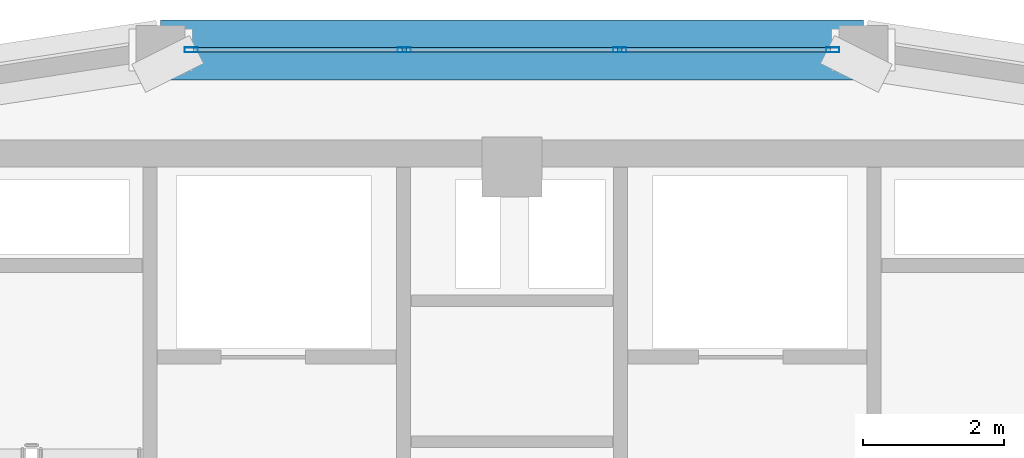
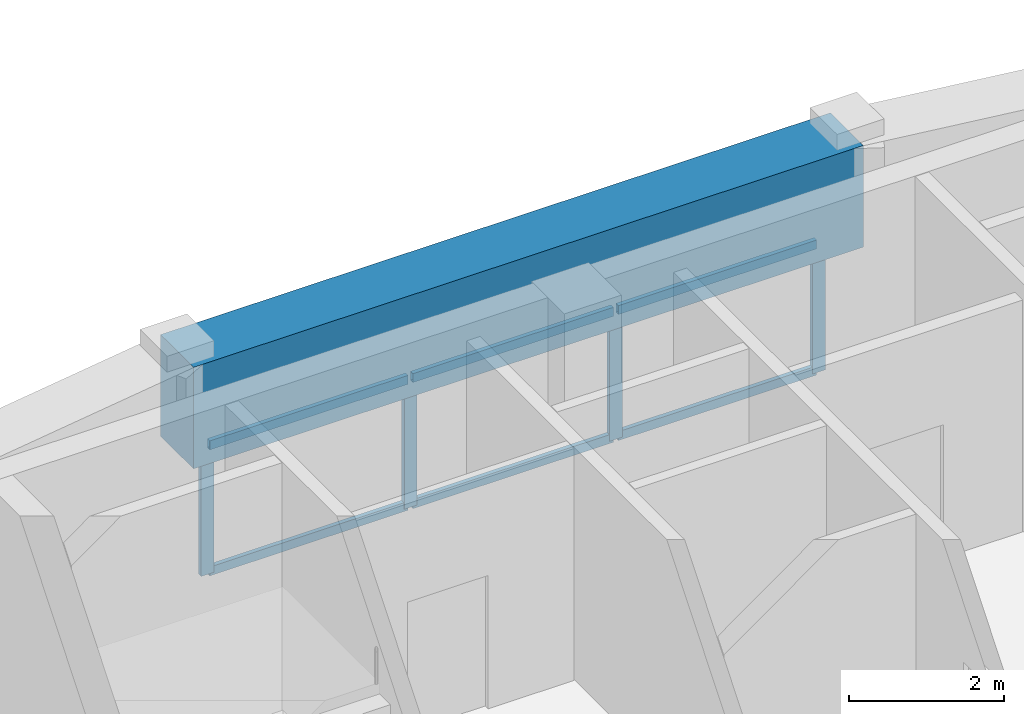
# One storey, part 9 of 13: 10 members, 1 beam, 1 element without a shape of its own.
"""IFC4 building model written with IfcOpenShell, lengths in metres."""

from ifc_helpers import new_model, si_unit, derived_unit, direction, frame, origin, origin_2d, place, context, subcontext, project, spatial, rectangle, hollow_rectangle, extrude, source, transform, mapped, material, layer, layer_set, material_profile, profile_set, type_object, element, aggregate, save


model = new_model("IFC4")

# Units and contexts
model_context = context("Model", 3, precision=1e-05, world=origin(), true_north=direction((0.0, 1.0)))
body_context = subcontext(model_context, "Body", "Model", "MODEL_VIEW")
ifc_project = project(units=[si_unit("LENGTHUNIT", "METRE"), si_unit("AREAUNIT", "SQUARE_METRE"), si_unit("VOLUMEUNIT", "CUBIC_METRE"), si_unit("PLANEANGLEUNIT", "RADIAN"), si_unit("MASSUNIT", "GRAM", prefix="KILO"), derived_unit("THERMALTRANSMITTANCEUNIT", [(si_unit("POWERUNIT", "WATT"), 1), (si_unit("LENGTHUNIT", "METRE"), -2), (si_unit("THERMODYNAMICTEMPERATUREUNIT", "KELVIN"), -1)])], contexts=[model_context])

# Site, building, storey
site_placement = place(None, origin())
site = spatial("IfcSite", under=ifc_project, at=site_placement, CompositionType="ELEMENT")
building_placement = place(site_placement, origin())
building = spatial("IfcBuilding", under=site, at=building_placement, Name="Korsvarv Bourse and Concert Hall", CompositionType="ELEMENT")
storey_placement = place(building_placement, frame((0.0, 0.0, 292.199951171875)))
storey = spatial("IfcBuildingStorey", under=building, at=storey_placement, Name="L76", CompositionType="ELEMENT", Elevation=292.199951171875)

# Beam
ifc_material_1 = material(Name="Concrete C55/67", Category="concrete")
ifc_material_profile_1 = material_profile(ifc_material_1, rectangle(XDim=0.85009765625, YDim=1.60009765625, at=origin_2d()), Name="RC-BM 850x1600")
ifc_profile_set_1 = profile_set([ifc_material_profile_1], Name="Concrete C55/67")
beam_type = type_object("IfcBeamType", Name="BM-TR1B", PredefinedType="BEAM", material=ifc_profile_set_1)
shared_shape_1 = source(origin(), body_context, "Body", "SweptSolid", [
    extrude(rectangle(XDim=0.85009765625, YDim=1.60009765625, at=origin_2d()), origin(), (0.0, 0.0, 1.0), 9.97802734375),
])
beam_placement = place(storey_placement, frame((40.989013671875, 48.4619140625, 2.85009765625), z_axis=(-1.0, 0.0, 0.0), x_axis=(0.0, -1.0, 0.0)))
element("IfcBeam", 1, at=beam_placement, inside=storey, type_object=beam_type, Name="L76 beam B-TR2", PredefinedType="BEAM", context=body_context, shape_type="MappedRepresentation", body=[
    mapped(shared_shape_1, transform((0.0, 0.0, 0.0), scale=1.0)),
])

# Curtain wall, members
ifc_material_2 = material(Name="Anodised aluminium and triple low-E glazing", Category="glass")
ifc_layer = layer(ifc_material_2, 0.22998046875)
ifc_layer_set = layer_set([ifc_layer], Name="Anodised aluminium and triple low-E glazing")
curtain_wall_type = type_object("IfcCurtainWallType", Name="CW-SYS-6", PredefinedType="NOTDEFINED", material=ifc_layer_set)
curtain_wall_placement = place(storey_placement, origin())
curtain_wall = element("IfcCurtainWall", 2, at=curtain_wall_placement, inside=storey, type_object=curtain_wall_type, Name="L76 CW6 curtain wall CW-L76-CRN03", PredefinedType="NOTDEFINED")
ifc_material_3 = material(Name="Extruded aluminium EN AW-6063 T66", Category="aluminium")
ifc_material_profile_2 = material_profile(ifc_material_3, hollow_rectangle(XDim=0.070068359375, YDim=0.18994140625, WallThickness=0.0048828125, at=origin_2d()), Name="ALU-M 70x190")
ifc_profile_set_2 = profile_set([ifc_material_profile_2], Name="Extruded aluminium EN AW-6063 T66")
member_type_1 = type_object("IfcMemberType", Name="CWM-190", PredefinedType="MULLION", material=ifc_profile_set_2)
shared_shape_2 = source(origin(), body_context, "Body", "SweptSolid", [
    extrude(hollow_rectangle(XDim=0.070068359375, YDim=0.18994140625, WallThickness=0.0048828125, at=origin_2d()), origin(), (0.0, 0.0, 1.0), 2.050048828125),
])
member_1_placement = place(storey_placement, frame((40.553955078125, 48.4619140625, 0.0), z_axis=(0.0, 0.0, 1.0), x_axis=(0.0, -1.0, 0.0)))
member_1 = element("IfcMember", 3, at=member_1_placement, type_object=member_type_1, Name="CW6 mullion 1", PredefinedType="MULLION", context=body_context, shape_type="MappedRepresentation", body=[
    mapped(shared_shape_2, transform((0.0, 0.0, 0.0), scale=1.0)),
])
member_2_placement = place(storey_placement, frame((37.52978515625, 48.4619140625, 0.0), z_axis=(0.0, 0.0, 1.0), x_axis=(0.0, -1.0, 0.0)))
member_2 = element("IfcMember", 4, at=member_2_placement, type_object=member_type_1, Name="CW6 mullion 2", PredefinedType="MULLION", context=body_context, shape_type="MappedRepresentation", body=[
    mapped(shared_shape_2, transform((0.0, 0.0, 0.0), scale=1.0)),
])
member_3_placement = place(storey_placement, frame((34.47021484375, 48.4619140625, 0.0), z_axis=(0.0, 0.0, 1.0), x_axis=(0.0, -1.0, 0.0)))
member_3 = element("IfcMember", 5, at=member_3_placement, type_object=member_type_1, Name="CW6 mullion 3", PredefinedType="MULLION", context=body_context, shape_type="MappedRepresentation", body=[
    mapped(shared_shape_2, transform((0.0, 0.0, 0.0), scale=1.0)),
])
member_4_placement = place(storey_placement, frame((31.446044921875, 48.4619140625, 0.0), z_axis=(0.0, 0.0, 1.0), x_axis=(0.0, -1.0, 0.0)))
member_4 = element("IfcMember", 6, at=member_4_placement, type_object=member_type_1, Name="CW6 mullion 4", PredefinedType="MULLION", context=body_context, shape_type="MappedRepresentation", body=[
    mapped(shared_shape_2, transform((0.0, 0.0, 0.0), scale=1.0)),
])
ifc_material_profile_3 = material_profile(ifc_material_3, hollow_rectangle(XDim=0.06494140625, YDim=0.139892578125, WallThickness=0.00390625, at=origin_2d()), Name="ALU-T 65x140")
ifc_profile_set_3 = profile_set([ifc_material_profile_3], Name="Extruded aluminium EN AW-6063 T66")
member_type_2 = type_object("IfcMemberType", Name="CWT-140", PredefinedType="USERDEFINED", material=ifc_profile_set_3)
shared_shape_3 = source(origin(), body_context, "Body", "SweptSolid", [
    extrude(hollow_rectangle(XDim=0.06494140625, YDim=0.139892578125, WallThickness=0.00390625, at=origin_2d()), origin(), (0.0, 0.0, 1.0), 2.954345703125),
])
member_5_placement = place(storey_placement, frame((40.51904296875, 48.4619140625, 0.032470703125), z_axis=(-1.0, 0.0, 0.0), x_axis=(0.0, -1.0, 0.0)))
member_5 = element("IfcMember", 7, at=member_5_placement, type_object=member_type_2, Name="CW6 transom 1.1", ObjectType="TRANSOM", PredefinedType="USERDEFINED", context=body_context, shape_type="MappedRepresentation", body=[
    mapped(shared_shape_3, transform((0.0, 0.0, 0.0), scale=1.0)),
])
member_6_placement = place(storey_placement, frame((40.51904296875, 48.4619140625, 2.017578125), z_axis=(-1.0, 0.0, 0.0), x_axis=(0.0, -1.0, 0.0)))
member_6 = element("IfcMember", 8, at=member_6_placement, type_object=member_type_2, Name="CW6 transom 1.2", ObjectType="TRANSOM", PredefinedType="USERDEFINED", context=body_context, shape_type="MappedRepresentation", body=[
    mapped(shared_shape_3, transform((0.0, 0.0, 0.0), scale=1.0)),
])
member_7_placement = place(storey_placement, frame((34.435302734375, 48.4619140625, 0.032470703125), z_axis=(-1.0, 0.0, 0.0), x_axis=(0.0, -1.0, 0.0)))
member_7 = element("IfcMember", 9, at=member_7_placement, type_object=member_type_2, Name="CW6 transom 3.1", ObjectType="TRANSOM", PredefinedType="USERDEFINED", context=body_context, shape_type="MappedRepresentation", body=[
    mapped(shared_shape_3, transform((0.0, 0.0, 0.0), scale=1.0)),
])
member_8_placement = place(storey_placement, frame((34.435302734375, 48.4619140625, 2.017578125), z_axis=(-1.0, 0.0, 0.0), x_axis=(0.0, -1.0, 0.0)))
member_8 = element("IfcMember", 10, at=member_8_placement, type_object=member_type_2, Name="CW6 transom 3.2", ObjectType="TRANSOM", PredefinedType="USERDEFINED", context=body_context, shape_type="MappedRepresentation", body=[
    mapped(shared_shape_3, transform((0.0, 0.0, 0.0), scale=1.0)),
])
shared_shape_4 = source(origin(), body_context, "Body", "SweptSolid", [
    extrude(hollow_rectangle(XDim=0.06494140625, YDim=0.139892578125, WallThickness=0.00390625, at=origin_2d()), origin(), (0.0, 0.0, 1.0), 2.9892578125),
])
member_9_placement = place(storey_placement, frame((37.49462890625, 48.4619140625, 0.032470703125), z_axis=(-1.0, 0.0, 0.0), x_axis=(0.0, -1.0, 0.0)))
member_9 = element("IfcMember", 11, at=member_9_placement, type_object=member_type_2, Name="CW6 transom 2.1", ObjectType="TRANSOM", PredefinedType="USERDEFINED", context=body_context, shape_type="MappedRepresentation", body=[
    mapped(shared_shape_4, transform((0.0, 0.0, 0.0), scale=1.0)),
])
member_10_placement = place(storey_placement, frame((37.49462890625, 48.4619140625, 2.017578125), z_axis=(-1.0, 0.0, 0.0), x_axis=(0.0, -1.0, 0.0)))
member_10 = element("IfcMember", 12, at=member_10_placement, type_object=member_type_2, Name="CW6 transom 2.2", ObjectType="TRANSOM", PredefinedType="USERDEFINED", context=body_context, shape_type="MappedRepresentation", body=[
    mapped(shared_shape_4, transform((0.0, 0.0, 0.0), scale=1.0)),
])
aggregate(curtain_wall, [member_1, member_2, member_3, member_4, member_5, member_6, member_9, member_10, member_7, member_8])

save(model, "model.ifc")
